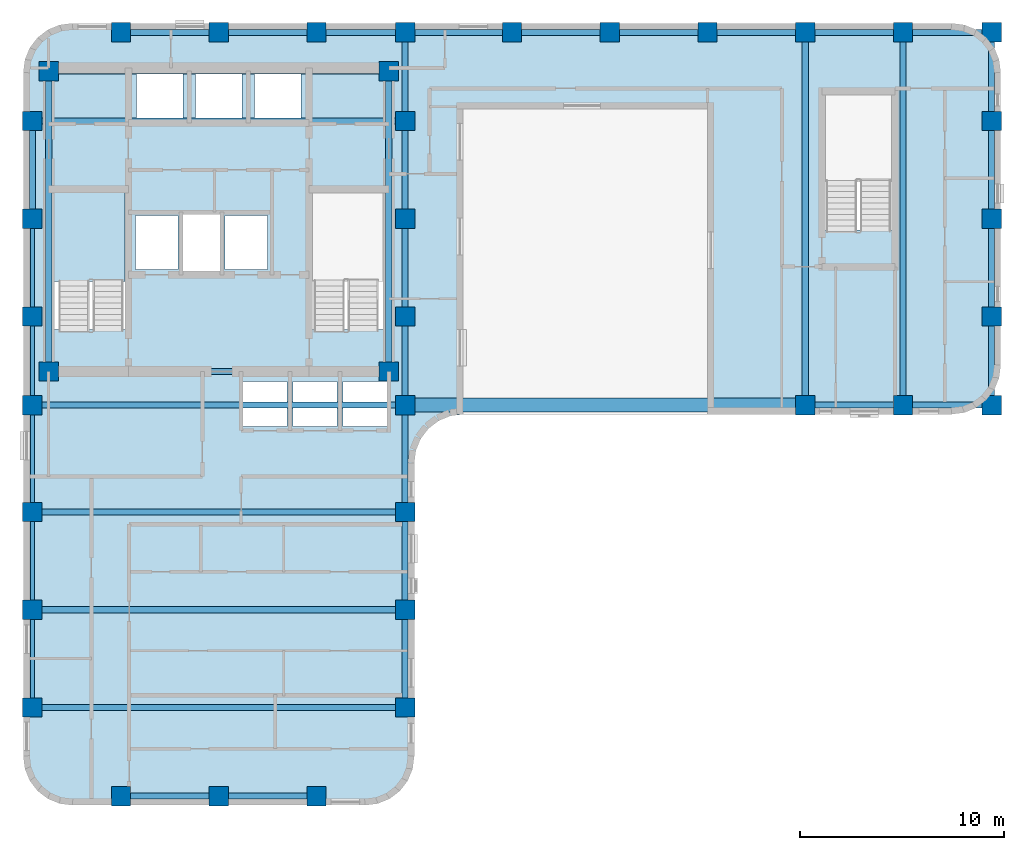
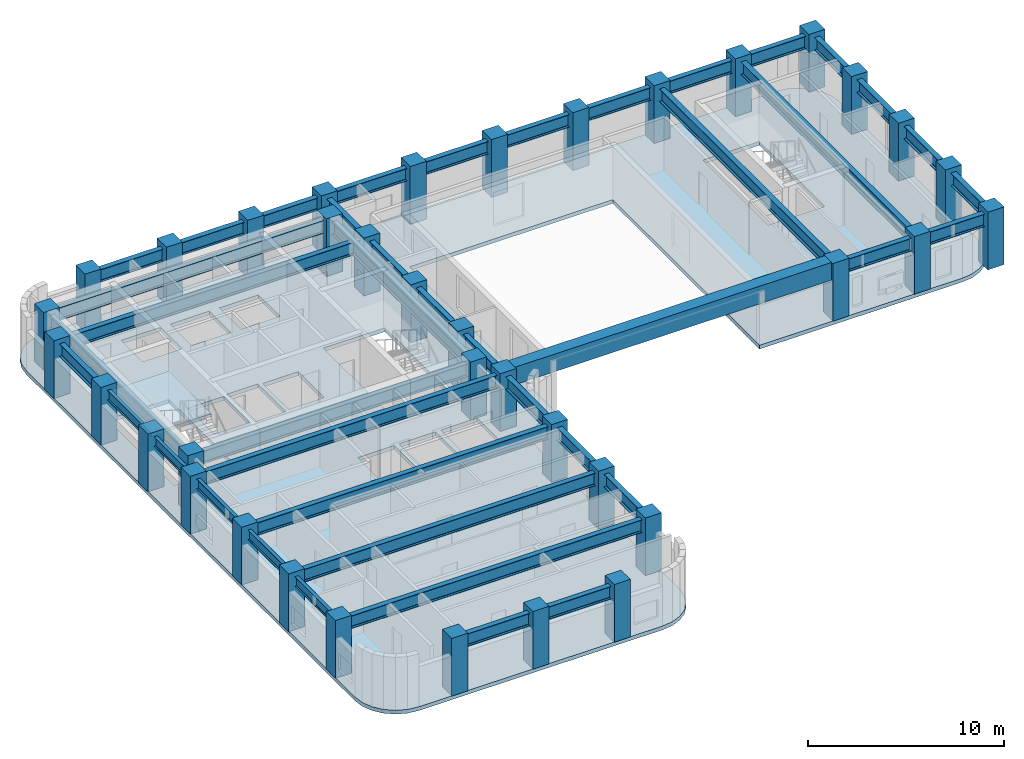
# One storey, part 1 of 9: 42 beams, 37 columns, 2 slabs, 1 element without a shape of its own.
"""IFC4 building model written with IfcOpenShell, lengths in metres."""

from ifc_helpers import new_model, si_unit, direction, frame, origin, origin_2d, place, context, subcontext, project, spatial, polyline, rectangle, i_section, outline, extrude, material, layer, layer_set, material_profile, profile_set, type_object, element, aggregate, save


model = new_model("IFC4")

# Units and contexts
model_context = context("Model", 3, precision=1e-05, world=origin(), true_north=direction((0.0, 1.0)))
body_context = subcontext(model_context, "Body", "Model", "MODEL_VIEW")
ifc_project = project(units=[si_unit("LENGTHUNIT", "METRE"), si_unit("AREAUNIT", "SQUARE_METRE"), si_unit("VOLUMEUNIT", "CUBIC_METRE"), si_unit("PLANEANGLEUNIT", "RADIAN"), si_unit("MASSUNIT", "GRAM", prefix="KILO")], contexts=[model_context])

# Site, building, storey
site_placement = place(None, origin())
site = spatial("IfcSite", under=ifc_project, at=site_placement, CompositionType="ELEMENT")
building_placement = place(site_placement, origin())
building = spatial("IfcBuilding", under=site, at=building_placement, Name="Orvandelia Arch Residences", CompositionType="ELEMENT")
storey_placement = place(building_placement, frame((0.0, 0.0, 190.0)))
storey = spatial("IfcBuildingStorey", under=building, at=storey_placement, Name="L50", CompositionType="ELEMENT", Elevation=190.0)

# Columns
ifc_material_1 = material(Name="Concrete C60/75", Category="concrete")
ifc_material_profile_1 = material_profile(ifc_material_1, rectangle(XDim=0.949951171875, YDim=0.949951171875, at=origin_2d()), Name="Concrete C60/75", Category="concrete")
ifc_profile_set_1 = profile_set([ifc_material_profile_1], Name="Concrete C60/75")
column_type = type_object("IfcColumnType", Name="COL-TWR-950", PredefinedType="COLUMN", material=ifc_profile_set_1)
for number, where, z_axis, x_axis, name in (
    (1, (5.25, 14.39990234375, 0.0), (0.0, 0.0, 1.0), (1.0, 0.0, 0.0), "Structural Column L50-W-W-144"),
    (2, (5.25, 19.199951171875, 0.0), (0.0, 0.0, 1.0), (1.0, 0.0, 0.0), "Structural Column L50-W-W-192"),
    (3, (5.25, 24.0, 0.0), (0.0, 0.0, 1.0), (1.0, 0.0, 0.0), "Structural Column L50-W-W-240"),
    (4, (5.25, 29.25, 0.0), (0.0, 0.0, 1.0), (1.0, 0.0, 0.0), "Structural Column L50-W-W-292"),
    (5, (5.25, 33.60009765625, 0.0), (0.0, 0.0, 1.0), (1.0, 0.0, 0.0), "Structural Column L50-W-W-336"),
    (6, (5.25, 38.39990234375, 0.0), (0.0, 0.0, 1.0), (1.0, 0.0, 0.0), "Structural Column L50-W-W-384"),
    (7, (5.25, 43.199951171875, 0.0), (0.0, 0.0, 1.0), (1.0, 0.0, 0.0), "Structural Column L50-W-W-432"),
    (8, (6.050048828125, 30.89990234375, 0.0), (0.0, 0.0, 1.0), (1.0, 0.0, 0.0), "Structural Column L50-CR-SW"),
    (9, (6.050048828125, 45.64990234375, 0.0), (0.0, 0.0, 1.0), (1.0, 0.0, 0.0), "Structural Column L50-CR-NW"),
    (10, (9.60009765625, 10.050048828125, 0.0), (0.0, 0.0, 1.0), (1.0, 0.0, 0.0), "Structural Column L50-W-S-96"),
    (11, (9.60009765625, 47.550048828125, 0.0), (0.0, 0.0, 1.0), (1.0, 0.0, 0.0), "Structural Column L50-W-N-96"),
    (12, (14.39990234375, 10.050048828125, 0.0), (0.0, 0.0, 1.0), (1.0, 0.0, 0.0), "Structural Column L50-W-S-144"),
    (13, (14.39990234375, 47.550048828125, 0.0), (0.0, 0.0, 1.0), (1.0, 0.0, 0.0), "Structural Column L50-W-N-144"),
    (14, (19.199951171875, 10.050048828125, 0.0), (0.0, 0.0, 1.0), (1.0, 0.0, 0.0), "Structural Column L50-W-S-192"),
    (15, (19.199951171875, 47.550048828125, 0.0), (0.0, 0.0, 1.0), (1.0, 0.0, 0.0), "Structural Column L50-W-N-192"),
    (16, (22.75, 30.89990234375, 0.0), (0.0, 0.0, 1.0), (1.0, 0.0, 0.0), "Structural Column L50-CR-SE"),
    (17, (22.75, 45.64990234375, 0.0), (0.0, 0.0, 1.0), (1.0, 0.0, 0.0), "Structural Column L50-CR-NE"),
    (18, (23.550048828125, 14.39990234375, 0.0), (0.0, 0.0, 1.0), (1.0, 0.0, 0.0), "Structural Column L50-W-E-144"),
    (19, (23.550048828125, 19.199951171875, 0.0), (0.0, 0.0, 1.0), (1.0, 0.0, 0.0), "Structural Column L50-W-E-192"),
    (20, (23.550048828125, 24.0, 0.0), (0.0, 0.0, 1.0), (1.0, 0.0, 0.0), "Structural Column L50-W-E-240"),
    (21, (23.550048828125, 29.25, 0.0), (0.0, 0.0, 1.0), (1.0, 0.0, 0.0), "Structural Column L50-W-E-292"),
    (22, (23.550048828125, 33.60009765625, 0.0), (0.0, 0.0, 1.0), (1.0, 0.0, 0.0), "Structural Column L50-W-E-336"),
    (23, (23.550048828125, 38.39990234375, 0.0), (0.0, 0.0, 1.0), (1.0, 0.0, 0.0), "Structural Column L50-W-E-384"),
    (24, (23.550048828125, 43.199951171875, 0.0), (0.0, 0.0, 1.0), (1.0, 0.0, 0.0), "Structural Column L50-W-E-432"),
    (25, (23.550048828125, 47.550048828125, 0.0), (0.0, 0.0, 1.0), (1.0, 0.0, 0.0), "Structural Column L50-W-N-235"),
    (26, (28.800048828125, 47.550048828125, 0.0), (0.0, 0.0, 1.0), (1.0, 0.0, 0.0), "Structural Column L50-E-N-288"),
    (27, (33.60009765625, 47.550048828125, 0.0), (0.0, 0.0, 1.0), (1.0, 0.0, 0.0), "Structural Column L50-E-N-336"),
    (28, (38.39990234375, 47.550048828125, 0.0), (0.0, 0.0, 1.0), (1.0, 0.0, 0.0), "Structural Column L50-E-N-384"),
    (29, (43.199951171875, 29.25, 0.0), (0.0, 0.0, 1.0), (1.0, 0.0, 0.0), "Structural Column L50-E-S-432"),
    (30, (43.199951171875, 47.550048828125, 0.0), (0.0, 0.0, 1.0), (1.0, 0.0, 0.0), "Structural Column L50-E-N-432"),
    (31, (48.0, 29.25, 0.0), (0.0, 0.0, 1.0), (1.0, 0.0, 0.0), "Structural Column L50-E-S-480"),
    (32, (48.0, 47.550048828125, 0.0), (0.0, 0.0, 1.0), (1.0, 0.0, 0.0), "Structural Column L50-E-N-480"),
    (33, (52.35009765625, 29.25, 0.0), (0.0, 0.0, 1.0), (1.0, 0.0, 0.0), "Structural Column L50-E-S-523"),
    (34, (52.35009765625, 33.60009765625, 0.0), (0.0, 0.0, 1.0), (1.0, 0.0, 0.0), "Structural Column L50-E-523-336"),
    (35, (52.35009765625, 38.39990234375, 0.0), (0.0, 0.0, 1.0), (1.0, 0.0, 0.0), "Structural Column L50-E-523-384"),
    (36, (52.35009765625, 43.199951171875, 0.0), (0.0, 0.0, 1.0), (1.0, 0.0, 0.0), "Structural Column L50-E-523-432"),
    (37, (52.35009765625, 47.550048828125, 0.0), (0.0, 0.0, 1.0), (1.0, 0.0, 0.0), "Structural Column L50-E-N-523"),
):
    element("IfcColumn", number, at=place(storey_placement, frame(where, z_axis=z_axis, x_axis=x_axis)), inside=storey, type_object=column_type, Name=name, PredefinedType="COLUMN", context=body_context, shape_type="SweptSolid", body=[
        extrude(rectangle(XDim=0.949951171875, YDim=0.949951171875, at=origin_2d()), origin(), (0.0, 0.0, 1.0), 3.60009765625),
    ])

# Beams
ifc_material_2 = material(Name="Structural Steel SM355 (355 MPa)", Category="steel")
ifc_material_profile_2 = material_profile(ifc_material_2, i_section(OverallWidth=0.300048828125, OverallDepth=0.800048828125, WebThickness=0.013916015625, FlangeThickness=0.02587890625, FilletRadius=0.02587890625, at=origin_2d()), Name="Structural Steel SM355 (355 MPa)", Category="steel")
ifc_profile_set_2 = profile_set([ifc_material_profile_2], Name="Structural Steel SM355 (355 MPa)")
beam_type_1 = type_object("IfcBeamType", Name="BM-GRD-H800", PredefinedType="BEAM", material=ifc_profile_set_2)
beam_1_placement = place(storey_placement, frame((5.25, 38.39990234375, 2.89990234375), z_axis=(0.0, 1.0, 0.0), x_axis=(-1.0, 0.0, 0.0)))
element("IfcBeam", 38, at=beam_1_placement, inside=storey, type_object=beam_type_1, Name="Structural Frame Beam L50-NS-006", PredefinedType="BEAM", context=body_context, shape_type="SweptSolid", body=[
    extrude(i_section(OverallWidth=0.300048828125, OverallDepth=0.800048828125, WebThickness=0.013916015625, FlangeThickness=0.02587890625, FilletRadius=0.02587890625, at=origin_2d()), origin(), (0.0, 0.0, 1.0), 4.800048828125),
])
for number, where, z_axis, x_axis, name in (
    (39, (6.050048828125, 30.89990234375, 2.89990234375), (0.0, 1.0, 0.0), (-1.0, 0.0, 0.0), "Structural Frame Beam L50-NS-007"),
    (40, (22.75, 30.89990234375, 2.89990234375), (0.0, 1.0, 0.0), (-1.0, 0.0, 0.0), "Structural Frame Beam L50-NS-008"),
):
    element("IfcBeam", number, at=place(storey_placement, frame(where, z_axis=z_axis, x_axis=x_axis)), inside=storey, type_object=beam_type_1, Name=name, PredefinedType="BEAM", context=body_context, shape_type="SweptSolid", body=[
        extrude(i_section(OverallWidth=0.300048828125, OverallDepth=0.800048828125, WebThickness=0.013916015625, FlangeThickness=0.02587890625, FilletRadius=0.02587890625, at=origin_2d()), origin(), (0.0, 0.0, 1.0), 14.75),
    ])
for number, where, z_axis, x_axis, name in (
    (41, (23.550048828125, 14.39990234375, 2.89990234375), (0.0, 1.0, 0.0), (-1.0, 0.0, 0.0), "Structural Frame Beam L50-NS-009"),
    (42, (23.550048828125, 19.199951171875, 2.89990234375), (0.0, 1.0, 0.0), (-1.0, 0.0, 0.0), "Structural Frame Beam L50-NS-010"),
):
    element("IfcBeam", number, at=place(storey_placement, frame(where, z_axis=z_axis, x_axis=x_axis)), inside=storey, type_object=beam_type_1, Name=name, PredefinedType="BEAM", context=body_context, shape_type="SweptSolid", body=[
        extrude(i_section(OverallWidth=0.300048828125, OverallDepth=0.800048828125, WebThickness=0.013916015625, FlangeThickness=0.02587890625, FilletRadius=0.02587890625, at=origin_2d()), origin(), (0.0, 0.0, 1.0), 4.800048828125),
    ])
beam_2_placement = place(storey_placement, frame((23.550048828125, 24.0, 2.89990234375), z_axis=(0.0, 1.0, 0.0), x_axis=(-1.0, 0.0, 0.0)))
element("IfcBeam", 43, at=beam_2_placement, inside=storey, type_object=beam_type_1, Name="Structural Frame Beam L50-NS-011", PredefinedType="BEAM", context=body_context, shape_type="SweptSolid", body=[
    extrude(i_section(OverallWidth=0.300048828125, OverallDepth=0.800048828125, WebThickness=0.013916015625, FlangeThickness=0.02587890625, FilletRadius=0.02587890625, at=origin_2d()), origin(), (0.0, 0.0, 1.0), 5.25),
])
beam_3_placement = place(storey_placement, frame((23.550048828125, 29.25, 2.89990234375), z_axis=(0.0, 1.0, 0.0), x_axis=(-1.0, 0.0, 0.0)))
element("IfcBeam", 44, at=beam_3_placement, inside=storey, type_object=beam_type_1, Name="Structural Frame Beam L50-NS-012", PredefinedType="BEAM", context=body_context, shape_type="SweptSolid", body=[
    extrude(i_section(OverallWidth=0.300048828125, OverallDepth=0.800048828125, WebThickness=0.013916015625, FlangeThickness=0.02587890625, FilletRadius=0.02587890625, at=origin_2d()), origin(), (0.0, 0.0, 1.0), 4.35009765625),
])
beam_4_placement = place(storey_placement, frame((23.550048828125, 33.60009765625, 2.89990234375), z_axis=(0.0, 1.0, 0.0), x_axis=(-1.0, 0.0, 0.0)))
element("IfcBeam", 45, at=beam_4_placement, inside=storey, type_object=beam_type_1, Name="Structural Frame Beam L50-NS-013", PredefinedType="BEAM", context=body_context, shape_type="SweptSolid", body=[
    extrude(i_section(OverallWidth=0.300048828125, OverallDepth=0.800048828125, WebThickness=0.013916015625, FlangeThickness=0.02587890625, FilletRadius=0.02587890625, at=origin_2d()), origin(), (0.0, 0.0, 1.0), 4.7998046875),
])
beam_5_placement = place(storey_placement, frame((23.550048828125, 38.39990234375, 2.89990234375), z_axis=(0.0, 1.0, 0.0), x_axis=(-1.0, 0.0, 0.0)))
element("IfcBeam", 46, at=beam_5_placement, inside=storey, type_object=beam_type_1, Name="Structural Frame Beam L50-NS-014", PredefinedType="BEAM", context=body_context, shape_type="SweptSolid", body=[
    extrude(i_section(OverallWidth=0.300048828125, OverallDepth=0.800048828125, WebThickness=0.013916015625, FlangeThickness=0.02587890625, FilletRadius=0.02587890625, at=origin_2d()), origin(), (0.0, 0.0, 1.0), 4.800048828125),
])
beam_6_placement = place(storey_placement, frame((23.550048828125, 43.199951171875, 2.89990234375), z_axis=(0.0, 1.0, 0.0), x_axis=(-1.0, 0.0, 0.0)))
element("IfcBeam", 47, at=beam_6_placement, inside=storey, type_object=beam_type_1, Name="Structural Frame Beam L50-NS-015", PredefinedType="BEAM", context=body_context, shape_type="SweptSolid", body=[
    extrude(i_section(OverallWidth=0.300048828125, OverallDepth=0.800048828125, WebThickness=0.013916015625, FlangeThickness=0.02587890625, FilletRadius=0.02587890625, at=origin_2d()), origin(), (0.0, 0.0, 1.0), 4.35009765625),
])
for number, where, z_axis, x_axis, name in (
    (48, (43.199951171875, 29.25, 2.89990234375), (0.0, 1.0, 0.0), (-1.0, 0.0, 0.0), "Structural Frame Beam L50-NS-016"),
    (49, (48.0, 29.25, 2.89990234375), (0.0, 1.0, 0.0), (-1.0, 0.0, 0.0), "Structural Frame Beam L50-NS-017"),
):
    element("IfcBeam", number, at=place(storey_placement, frame(where, z_axis=z_axis, x_axis=x_axis)), inside=storey, type_object=beam_type_1, Name=name, PredefinedType="BEAM", context=body_context, shape_type="SweptSolid", body=[
        extrude(i_section(OverallWidth=0.300048828125, OverallDepth=0.800048828125, WebThickness=0.013916015625, FlangeThickness=0.02587890625, FilletRadius=0.02587890625, at=origin_2d()), origin(), (0.0, 0.0, 1.0), 18.300048828125),
    ])
beam_7_placement = place(storey_placement, frame((52.35009765625, 29.25, 2.89990234375), z_axis=(0.0, 1.0, 0.0), x_axis=(-1.0, 0.0, 0.0)))
element("IfcBeam", 50, at=beam_7_placement, inside=storey, type_object=beam_type_1, Name="Structural Frame Beam L50-NS-018", PredefinedType="BEAM", context=body_context, shape_type="SweptSolid", body=[
    extrude(i_section(OverallWidth=0.300048828125, OverallDepth=0.800048828125, WebThickness=0.013916015625, FlangeThickness=0.02587890625, FilletRadius=0.02587890625, at=origin_2d()), origin(), (0.0, 0.0, 1.0), 4.35009765625),
])
beam_8_placement = place(storey_placement, frame((52.35009765625, 33.60009765625, 2.89990234375), z_axis=(0.0, 1.0, 0.0), x_axis=(-1.0, 0.0, 0.0)))
element("IfcBeam", 51, at=beam_8_placement, inside=storey, type_object=beam_type_1, Name="Structural Frame Beam L50-NS-019", PredefinedType="BEAM", context=body_context, shape_type="SweptSolid", body=[
    extrude(i_section(OverallWidth=0.300048828125, OverallDepth=0.800048828125, WebThickness=0.013916015625, FlangeThickness=0.02587890625, FilletRadius=0.02587890625, at=origin_2d()), origin(), (0.0, 0.0, 1.0), 4.7998046875),
])
beam_9_placement = place(storey_placement, frame((52.35009765625, 38.39990234375, 2.89990234375), z_axis=(0.0, 1.0, 0.0), x_axis=(-1.0, 0.0, 0.0)))
element("IfcBeam", 52, at=beam_9_placement, inside=storey, type_object=beam_type_1, Name="Structural Frame Beam L50-NS-020", PredefinedType="BEAM", context=body_context, shape_type="SweptSolid", body=[
    extrude(i_section(OverallWidth=0.300048828125, OverallDepth=0.800048828125, WebThickness=0.013916015625, FlangeThickness=0.02587890625, FilletRadius=0.02587890625, at=origin_2d()), origin(), (0.0, 0.0, 1.0), 4.800048828125),
])
beam_10_placement = place(storey_placement, frame((52.35009765625, 43.199951171875, 2.89990234375), z_axis=(0.0, 1.0, 0.0), x_axis=(-1.0, 0.0, 0.0)))
element("IfcBeam", 53, at=beam_10_placement, inside=storey, type_object=beam_type_1, Name="Structural Frame Beam L50-NS-021", PredefinedType="BEAM", context=body_context, shape_type="SweptSolid", body=[
    extrude(i_section(OverallWidth=0.300048828125, OverallDepth=0.800048828125, WebThickness=0.013916015625, FlangeThickness=0.02587890625, FilletRadius=0.02587890625, at=origin_2d()), origin(), (0.0, 0.0, 1.0), 4.35009765625),
])
beam_11_placement = place(storey_placement, frame((9.60009765625, 10.050048828125, 2.89990234375), z_axis=(1.0, 0.0, 0.0), x_axis=(0.0, 1.0, 0.0)))
element("IfcBeam", 54, at=beam_11_placement, inside=storey, type_object=beam_type_1, Name="Structural Frame Girder L50-EW-022", PredefinedType="BEAM", context=body_context, shape_type="SweptSolid", body=[
    extrude(i_section(OverallWidth=0.300048828125, OverallDepth=0.800048828125, WebThickness=0.013916015625, FlangeThickness=0.02587890625, FilletRadius=0.02587890625, at=origin_2d()), origin(), (0.0, 0.0, 1.0), 4.7998046875),
])
beam_12_placement = place(storey_placement, frame((14.39990234375, 10.050048828125, 2.89990234375), z_axis=(1.0, 0.0, 0.0), x_axis=(0.0, 1.0, 0.0)))
element("IfcBeam", 55, at=beam_12_placement, inside=storey, type_object=beam_type_1, Name="Structural Frame Girder L50-EW-023", PredefinedType="BEAM", context=body_context, shape_type="SweptSolid", body=[
    extrude(i_section(OverallWidth=0.300048828125, OverallDepth=0.800048828125, WebThickness=0.013916015625, FlangeThickness=0.02587890625, FilletRadius=0.02587890625, at=origin_2d()), origin(), (0.0, 0.0, 1.0), 4.800048828125),
])
for number, where, z_axis, x_axis, name in (
    (56, (5.25, 14.39990234375, 2.89990234375), (1.0, 0.0, 0.0), (0.0, 1.0, 0.0), "Structural Frame Girder L50-EW-024"),
    (57, (5.25, 19.199951171875, 2.89990234375), (1.0, 0.0, 0.0), (0.0, 1.0, 0.0), "Structural Frame Girder L50-EW-025"),
    (58, (5.25, 24.0, 2.89990234375), (1.0, 0.0, 0.0), (0.0, 1.0, 0.0), "Structural Frame Girder L50-EW-026"),
    (59, (5.25, 29.25, 2.89990234375), (1.0, 0.0, 0.0), (0.0, 1.0, 0.0), "Structural Frame Girder L50-EW-027"),
):
    element("IfcBeam", number, at=place(storey_placement, frame(where, z_axis=z_axis, x_axis=x_axis)), inside=storey, type_object=beam_type_1, Name=name, PredefinedType="BEAM", context=body_context, shape_type="SweptSolid", body=[
        extrude(i_section(OverallWidth=0.300048828125, OverallDepth=0.800048828125, WebThickness=0.013916015625, FlangeThickness=0.02587890625, FilletRadius=0.02587890625, at=origin_2d()), origin(), (0.0, 0.0, 1.0), 18.300048828125),
    ])
beam_13_placement = place(storey_placement, frame((43.199951171875, 29.25, 2.89990234375), z_axis=(1.0, 0.0, 0.0), x_axis=(0.0, 1.0, 0.0)))
element("IfcBeam", 60, at=beam_13_placement, inside=storey, type_object=beam_type_1, Name="Structural Frame Girder L50-EW-028", PredefinedType="BEAM", context=body_context, shape_type="SweptSolid", body=[
    extrude(i_section(OverallWidth=0.300048828125, OverallDepth=0.800048828125, WebThickness=0.013916015625, FlangeThickness=0.02587890625, FilletRadius=0.02587890625, at=origin_2d()), origin(), (0.0, 0.0, 1.0), 4.800048828125),
])
beam_14_placement = place(storey_placement, frame((48.0, 29.25, 2.89990234375), z_axis=(1.0, 0.0, 0.0), x_axis=(0.0, 1.0, 0.0)))
element("IfcBeam", 61, at=beam_14_placement, inside=storey, type_object=beam_type_1, Name="Structural Frame Girder L50-EW-029", PredefinedType="BEAM", context=body_context, shape_type="SweptSolid", body=[
    extrude(i_section(OverallWidth=0.300048828125, OverallDepth=0.800048828125, WebThickness=0.013916015625, FlangeThickness=0.02587890625, FilletRadius=0.02587890625, at=origin_2d()), origin(), (0.0, 0.0, 1.0), 4.35009765625),
])
beam_15_placement = place(storey_placement, frame((6.050048828125, 30.89990234375, 2.89990234375), z_axis=(1.0, 0.0, 0.0), x_axis=(0.0, 1.0, 0.0)))
element("IfcBeam", 62, at=beam_15_placement, inside=storey, type_object=beam_type_1, Name="Structural Frame Girder L50-EW-030", PredefinedType="BEAM", context=body_context, shape_type="SweptSolid", body=[
    extrude(i_section(OverallWidth=0.300048828125, OverallDepth=0.800048828125, WebThickness=0.013916015625, FlangeThickness=0.02587890625, FilletRadius=0.02587890625, at=origin_2d()), origin(), (0.0, 0.0, 1.0), 16.699951171875),
])
beam_16_placement = place(storey_placement, frame((5.25, 43.199951171875, 2.89990234375), z_axis=(1.0, 0.0, 0.0), x_axis=(0.0, 1.0, 0.0)))
element("IfcBeam", 63, at=beam_16_placement, inside=storey, type_object=beam_type_1, Name="Structural Frame Girder L50-EW-033", PredefinedType="BEAM", context=body_context, shape_type="SweptSolid", body=[
    extrude(i_section(OverallWidth=0.300048828125, OverallDepth=0.800048828125, WebThickness=0.013916015625, FlangeThickness=0.02587890625, FilletRadius=0.02587890625, at=origin_2d()), origin(), (0.0, 0.0, 1.0), 18.300048828125),
])
beam_17_placement = place(storey_placement, frame((6.050048828125, 45.64990234375, 2.89990234375), z_axis=(1.0, 0.0, 0.0), x_axis=(0.0, 1.0, 0.0)))
element("IfcBeam", 64, at=beam_17_placement, inside=storey, type_object=beam_type_1, Name="Structural Frame Girder L50-EW-034", PredefinedType="BEAM", context=body_context, shape_type="SweptSolid", body=[
    extrude(i_section(OverallWidth=0.300048828125, OverallDepth=0.800048828125, WebThickness=0.013916015625, FlangeThickness=0.02587890625, FilletRadius=0.02587890625, at=origin_2d()), origin(), (0.0, 0.0, 1.0), 16.699951171875),
])
beam_18_placement = place(storey_placement, frame((9.60009765625, 47.550048828125, 2.89990234375), z_axis=(1.0, 0.0, 0.0), x_axis=(0.0, 1.0, 0.0)))
element("IfcBeam", 65, at=beam_18_placement, inside=storey, type_object=beam_type_1, Name="Structural Frame Girder L50-EW-035", PredefinedType="BEAM", context=body_context, shape_type="SweptSolid", body=[
    extrude(i_section(OverallWidth=0.300048828125, OverallDepth=0.800048828125, WebThickness=0.013916015625, FlangeThickness=0.02587890625, FilletRadius=0.02587890625, at=origin_2d()), origin(), (0.0, 0.0, 1.0), 4.7998046875),
])
beam_19_placement = place(storey_placement, frame((14.39990234375, 47.550048828125, 2.89990234375), z_axis=(1.0, 0.0, 0.0), x_axis=(0.0, 1.0, 0.0)))
element("IfcBeam", 66, at=beam_19_placement, inside=storey, type_object=beam_type_1, Name="Structural Frame Girder L50-EW-036", PredefinedType="BEAM", context=body_context, shape_type="SweptSolid", body=[
    extrude(i_section(OverallWidth=0.300048828125, OverallDepth=0.800048828125, WebThickness=0.013916015625, FlangeThickness=0.02587890625, FilletRadius=0.02587890625, at=origin_2d()), origin(), (0.0, 0.0, 1.0), 4.800048828125),
])
beam_20_placement = place(storey_placement, frame((19.199951171875, 47.550048828125, 2.89990234375), z_axis=(1.0, 0.0, 0.0), x_axis=(0.0, 1.0, 0.0)))
element("IfcBeam", 67, at=beam_20_placement, inside=storey, type_object=beam_type_1, Name="Structural Frame Girder L50-EW-037", PredefinedType="BEAM", context=body_context, shape_type="SweptSolid", body=[
    extrude(i_section(OverallWidth=0.300048828125, OverallDepth=0.800048828125, WebThickness=0.013916015625, FlangeThickness=0.02587890625, FilletRadius=0.02587890625, at=origin_2d()), origin(), (0.0, 0.0, 1.0), 4.35009765625),
])
beam_21_placement = place(storey_placement, frame((23.550048828125, 47.550048828125, 2.89990234375), z_axis=(1.0, 0.0, 0.0), x_axis=(0.0, 1.0, 0.0)))
element("IfcBeam", 68, at=beam_21_placement, inside=storey, type_object=beam_type_1, Name="Structural Frame Girder L50-EW-038", PredefinedType="BEAM", context=body_context, shape_type="SweptSolid", body=[
    extrude(i_section(OverallWidth=0.300048828125, OverallDepth=0.800048828125, WebThickness=0.013916015625, FlangeThickness=0.02587890625, FilletRadius=0.02587890625, at=origin_2d()), origin(), (0.0, 0.0, 1.0), 5.25),
])
beam_22_placement = place(storey_placement, frame((28.800048828125, 47.550048828125, 2.89990234375), z_axis=(1.0, 0.0, 0.0), x_axis=(0.0, 1.0, 0.0)))
element("IfcBeam", 69, at=beam_22_placement, inside=storey, type_object=beam_type_1, Name="Structural Frame Girder L50-EW-039", PredefinedType="BEAM", context=body_context, shape_type="SweptSolid", body=[
    extrude(i_section(OverallWidth=0.300048828125, OverallDepth=0.800048828125, WebThickness=0.013916015625, FlangeThickness=0.02587890625, FilletRadius=0.02587890625, at=origin_2d()), origin(), (0.0, 0.0, 1.0), 4.800048828125),
])
beam_23_placement = place(storey_placement, frame((33.60009765625, 47.550048828125, 2.89990234375), z_axis=(1.0, 0.0, 0.0), x_axis=(0.0, 1.0, 0.0)))
element("IfcBeam", 70, at=beam_23_placement, inside=storey, type_object=beam_type_1, Name="Structural Frame Girder L50-EW-040", PredefinedType="BEAM", context=body_context, shape_type="SweptSolid", body=[
    extrude(i_section(OverallWidth=0.300048828125, OverallDepth=0.800048828125, WebThickness=0.013916015625, FlangeThickness=0.02587890625, FilletRadius=0.02587890625, at=origin_2d()), origin(), (0.0, 0.0, 1.0), 4.7998046875),
])
for number, where, z_axis, x_axis, name in (
    (71, (38.39990234375, 47.550048828125, 2.89990234375), (1.0, 0.0, 0.0), (0.0, 1.0, 0.0), "Structural Frame Girder L50-EW-041"),
    (72, (43.199951171875, 47.550048828125, 2.89990234375), (1.0, 0.0, 0.0), (0.0, 1.0, 0.0), "Structural Frame Girder L50-EW-042"),
):
    element("IfcBeam", number, at=place(storey_placement, frame(where, z_axis=z_axis, x_axis=x_axis)), inside=storey, type_object=beam_type_1, Name=name, PredefinedType="BEAM", context=body_context, shape_type="SweptSolid", body=[
        extrude(i_section(OverallWidth=0.300048828125, OverallDepth=0.800048828125, WebThickness=0.013916015625, FlangeThickness=0.02587890625, FilletRadius=0.02587890625, at=origin_2d()), origin(), (0.0, 0.0, 1.0), 4.800048828125),
    ])
beam_24_placement = place(storey_placement, frame((48.0, 47.550048828125, 2.89990234375), z_axis=(1.0, 0.0, 0.0), x_axis=(0.0, 1.0, 0.0)))
element("IfcBeam", 73, at=beam_24_placement, inside=storey, type_object=beam_type_1, Name="Structural Frame Girder L50-EW-043", PredefinedType="BEAM", context=body_context, shape_type="SweptSolid", body=[
    extrude(i_section(OverallWidth=0.300048828125, OverallDepth=0.800048828125, WebThickness=0.013916015625, FlangeThickness=0.02587890625, FilletRadius=0.02587890625, at=origin_2d()), origin(), (0.0, 0.0, 1.0), 4.35009765625),
])
ifc_material_profile_3 = material_profile(ifc_material_1, rectangle(XDim=0.699951171875, YDim=1.10009765625, at=origin_2d()), Name="Concrete C60/75", Category="concrete")
ifc_profile_set_3 = profile_set([ifc_material_profile_3], Name="Concrete C60/75")
beam_type_2 = type_object("IfcBeamType", Name="BM-RC-700x1100", PredefinedType="BEAM", material=ifc_profile_set_3)
beam_25_placement = place(storey_placement, frame((23.550048828125, 29.25, 3.050048828125), z_axis=(1.0, 0.0, 0.0), x_axis=(0.0, 1.0, 0.0)))
element("IfcBeam", 74, at=beam_25_placement, inside=storey, type_object=beam_type_2, Name="Portal Bridge Transfer Girder L50", PredefinedType="BEAM", context=body_context, shape_type="SweptSolid", body=[
    extrude(rectangle(XDim=0.699951171875, YDim=1.10009765625, at=origin_2d()), origin(), (0.0, 0.0, 1.0), 19.64990234375),
])
ifc_material_profile_4 = material_profile(ifc_material_2, i_section(OverallWidth=0.199951171875, OverallDepth=0.60009765625, WebThickness=0.010986328125, FlangeThickness=0.01708984375, FilletRadius=0.02197265625, at=origin_2d()), Name="Structural Steel SM355 (355 MPa)", Category="steel")
ifc_profile_set_4 = profile_set([ifc_material_profile_4], Name="Structural Steel SM355 (355 MPa)")
beam_type_3 = type_object("IfcBeamType", Name="BM-SPN-H600", PredefinedType="SPANDREL", material=ifc_profile_set_4)
for number, where, z_axis, x_axis, name in (
    (75, (5.25, 14.39990234375, 3.0), (0.0, 1.0, 0.0), (-1.0, 0.0, 0.0), "Structural Frame Beam L50-NS-001"),
    (76, (5.25, 19.199951171875, 3.0), (0.0, 1.0, 0.0), (-1.0, 0.0, 0.0), "Structural Frame Beam L50-NS-002"),
):
    element("IfcBeam", number, at=place(storey_placement, frame(where, z_axis=z_axis, x_axis=x_axis)), inside=storey, type_object=beam_type_3, Name=name, PredefinedType="SPANDREL", context=body_context, shape_type="SweptSolid", body=[
        extrude(i_section(OverallWidth=0.199951171875, OverallDepth=0.60009765625, WebThickness=0.010986328125, FlangeThickness=0.01708984375, FilletRadius=0.02197265625, at=origin_2d()), origin(), (0.0, 0.0, 1.0), 4.800048828125),
    ])
beam_26_placement = place(storey_placement, frame((5.25, 24.0, 3.0), z_axis=(0.0, 1.0, 0.0), x_axis=(-1.0, 0.0, 0.0)))
element("IfcBeam", 77, at=beam_26_placement, inside=storey, type_object=beam_type_3, Name="Structural Frame Beam L50-NS-003", PredefinedType="SPANDREL", context=body_context, shape_type="SweptSolid", body=[
    extrude(i_section(OverallWidth=0.199951171875, OverallDepth=0.60009765625, WebThickness=0.010986328125, FlangeThickness=0.01708984375, FilletRadius=0.02197265625, at=origin_2d()), origin(), (0.0, 0.0, 1.0), 5.25),
])
beam_27_placement = place(storey_placement, frame((5.25, 29.25, 3.0), z_axis=(0.0, 1.0, 0.0), x_axis=(-1.0, 0.0, 0.0)))
element("IfcBeam", 78, at=beam_27_placement, inside=storey, type_object=beam_type_3, Name="Structural Frame Beam L50-NS-004", PredefinedType="SPANDREL", context=body_context, shape_type="SweptSolid", body=[
    extrude(i_section(OverallWidth=0.199951171875, OverallDepth=0.60009765625, WebThickness=0.010986328125, FlangeThickness=0.01708984375, FilletRadius=0.02197265625, at=origin_2d()), origin(), (0.0, 0.0, 1.0), 4.35009765625),
])
beam_28_placement = place(storey_placement, frame((5.25, 33.60009765625, 3.0), z_axis=(0.0, 1.0, 0.0), x_axis=(-1.0, 0.0, 0.0)))
element("IfcBeam", 79, at=beam_28_placement, inside=storey, type_object=beam_type_3, Name="Structural Frame Beam L50-NS-005", PredefinedType="SPANDREL", context=body_context, shape_type="SweptSolid", body=[
    extrude(i_section(OverallWidth=0.199951171875, OverallDepth=0.60009765625, WebThickness=0.010986328125, FlangeThickness=0.01708984375, FilletRadius=0.02197265625, at=origin_2d()), origin(), (0.0, 0.0, 1.0), 4.7998046875),
])

# Stair, slab
ifc_material_3 = material(Name="Concrete C40/50", Category="concrete")
stair_type = type_object("IfcStairType", Name="STAIR-RC-DOGLEG", PredefinedType="HALF_TURN_STAIR", material=ifc_material_3)
stair_placement = place(storey_placement, origin())
stair = element("IfcStair", 80, at=stair_placement, inside=storey, type_object=stair_type, Name="L50 Protected Exit Stair ST-1", PredefinedType="HALF_TURN_STAIR")
ifc_layer_1 = layer(ifc_material_3, 0.219970703125, Name="Concrete C40/50", Category="concrete")
ifc_layer_set_1 = layer_set([ifc_layer_1], Name="Concrete C40/50")
slab_type_1 = type_object("IfcSlabType", Name="SLB-LANDING-220", PredefinedType="LANDING", material=ifc_layer_set_1)
slab_1_placement = place(storey_placement, frame((0.0, 0.0, 1.60009765625)))
slab_1 = element("IfcSlab", 81, at=slab_1_placement, type_object=slab_type_1, Name="ST-1 landing 1", PredefinedType="LANDING", context=body_context, shape_type="SweptSolid", body=[
    extrude(outline(polyline([(9.800048828125, 35.31005859375), (9.800048828125, 39.68994140625), (6.260009765625, 39.68994140625), (6.260009765625, 35.31005859375), (9.800048828125, 35.31005859375)])), origin(), (0.0, 0.0, 1.0), 0.199951171875),
])
aggregate(stair, [slab_1])

# Slab
ifc_layer_2 = layer(ifc_material_3, 0.239990234375, Name="Concrete C40/50", Category="concrete")
ifc_layer_set_2 = layer_set([ifc_layer_2], Name="Concrete C40/50")
slab_type_2 = type_object("IfcSlabType", Name="SLB-TWR-240", PredefinedType="FLOOR", material=ifc_layer_set_2)
slab_2_placement = place(storey_placement, frame((0.0, 0.0, -0.239990234375)))
element("IfcSlab", 82, at=slab_2_placement, inside=storey, type_object=slab_type_2, Name="Structural Floor Slab L50-1", PredefinedType="FLOOR", context=body_context, shape_type="SweptSolid", body=[
    extrude(outline(polyline([(4.800048828125, 12.0), (4.8818359375, 11.37890625), (5.12158203125, 10.800048828125), (5.5029296875, 10.302978515625), (6.0, 9.92138671875), (6.578857421875, 9.681884765625), (7.199951171875, 9.60009765625), (21.60009765625, 9.60009765625), (22.22119140625, 9.681884765625), (22.800048828125, 9.92138671875), (23.297119140625, 10.302978515625), (23.678466796875, 10.800048828125), (23.918212890625, 11.37890625), (24.0, 12.0), (24.0, 26.39990234375), (24.081787109375, 27.021240234375), (24.321533203125, 27.60009765625), (24.702880859375, 28.09716796875), (25.199951171875, 28.478515625), (25.77880859375, 28.71826171875), (26.39990234375, 28.800048828125), (26.39990234375, 43.800048828125), (38.39990234375, 43.800048828125), (38.39990234375, 28.800048828125), (50.39990234375, 28.800048828125), (51.021240234375, 28.8818359375), (51.60009765625, 29.12158203125), (52.09716796875, 29.5029296875), (52.478515625, 30.0), (52.71826171875, 30.578857421875), (52.800048828125, 31.199951171875), (52.800048828125, 45.60009765625), (52.71826171875, 46.22119140625), (52.478515625, 46.800048828125), (52.09716796875, 47.297119140625), (51.60009765625, 47.678466796875), (51.021240234375, 47.918212890625), (50.39990234375, 48.0), (7.199951171875, 48.0), (6.578857421875, 47.918212890625), (6.0, 47.678466796875), (5.5029296875, 47.297119140625), (5.12158203125, 46.800048828125), (4.8818359375, 46.22119140625), (4.800048828125, 45.60009765625), (4.800048828125, 12.0)]), holes=[polyline([(6.219970703125, 32.949951171875), (9.840087890625, 32.949951171875), (9.840087890625, 39.72998046875), (6.219970703125, 39.72998046875), (6.219970703125, 32.949951171875)]), polyline([(18.9599609375, 32.949951171875), (22.580078125, 32.949951171875), (22.580078125, 39.72998046875), (18.9599609375, 39.72998046875), (18.9599609375, 32.949951171875)]), polyline([(44.139892578125, 37.85009765625), (47.47998046875, 37.85009765625), (47.47998046875, 44.5400390625), (44.139892578125, 44.5400390625), (44.139892578125, 37.85009765625)]), polyline([(12.639892578125, 35.81005859375), (14.4599609375, 35.81005859375), (14.4599609375, 38.639892578125), (12.639892578125, 38.639892578125), (12.639892578125, 35.81005859375)]), polyline([(10.300048828125, 35.89990234375), (12.39990234375, 35.89990234375), (12.39990234375, 38.550048828125), (10.300048828125, 38.550048828125), (10.300048828125, 35.89990234375)]), polyline([(14.699951171875, 35.89990234375), (16.800048828125, 35.89990234375), (16.800048828125, 38.550048828125), (14.699951171875, 38.550048828125), (14.699951171875, 35.89990234375)]), polyline([(10.35009765625, 43.300048828125), (12.64990234375, 43.300048828125), (12.64990234375, 45.5), (10.35009765625, 45.5), (10.35009765625, 43.300048828125)]), polyline([(13.25, 43.300048828125), (15.550048828125, 43.300048828125), (15.550048828125, 45.5), (13.25, 45.5), (13.25, 43.300048828125)]), polyline([(16.14990234375, 43.300048828125), (18.449951171875, 43.300048828125), (18.449951171875, 45.5), (16.14990234375, 45.5), (16.14990234375, 43.300048828125)]), polyline([(15.60009765625, 28.199951171875), (17.75, 28.199951171875), (17.75, 30.39990234375), (15.60009765625, 30.39990234375), (15.60009765625, 28.199951171875)]), polyline([(18.050048828125, 28.199951171875), (20.199951171875, 28.199951171875), (20.199951171875, 30.39990234375), (18.050048828125, 30.39990234375), (18.050048828125, 28.199951171875)]), polyline([(20.5, 28.199951171875), (22.64990234375, 28.199951171875), (22.64990234375, 30.39990234375), (20.5, 30.39990234375), (20.5, 28.199951171875)])]), origin(), (0.0, 0.0, 1.0), 0.239990234375),
])

save(model, "model.ifc")
